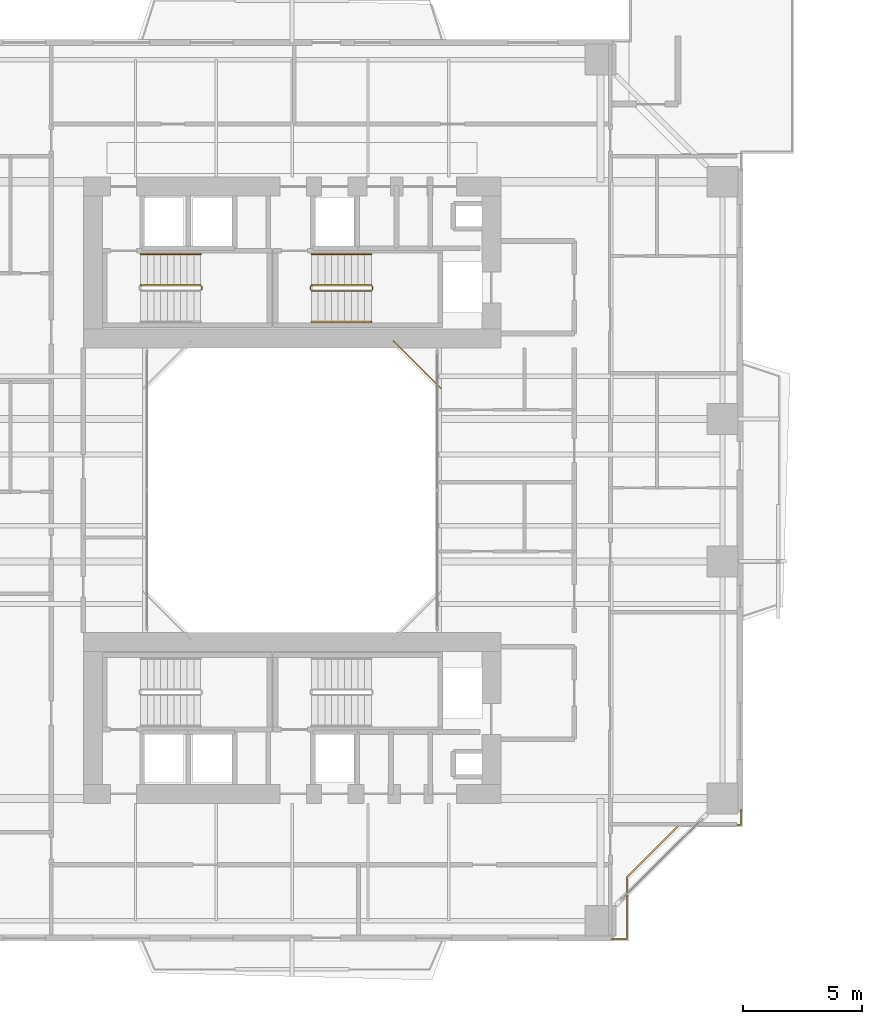
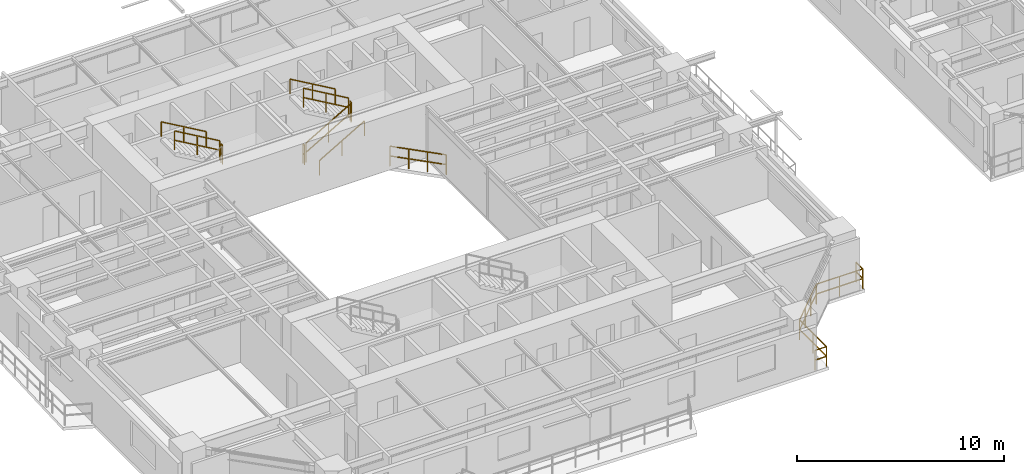
# One storey, part 20 of 23: 11 railings.
"""IFC4 building model written with IfcOpenShell, lengths in metres."""

from ifc_helpers import new_model, si_unit, direction, frame, origin, origin_2d, place, context, subcontext, project, spatial, rectangle, extrude, material, type_object, element, save


model = new_model("IFC4")

# Units and contexts
model_context = context("Model", 3, precision=1e-05, world=origin(), true_north=direction((0.0, 1.0)))
body_context = subcontext(model_context, "Body", "Model", "MODEL_VIEW")
ifc_project = project(units=[si_unit("LENGTHUNIT", "METRE"), si_unit("AREAUNIT", "SQUARE_METRE"), si_unit("VOLUMEUNIT", "CUBIC_METRE"), si_unit("PLANEANGLEUNIT", "RADIAN"), si_unit("MASSUNIT", "GRAM", prefix="KILO"), si_unit("THERMODYNAMICTEMPERATUREUNIT", "KELVIN"), si_unit("POWERUNIT", "WATT")], contexts=[model_context])

# Site, building, storey
site_placement = place(None, origin())
site = spatial("IfcSite", under=ifc_project, at=site_placement, CompositionType="ELEMENT")
building_placement = place(site_placement, origin())
building = spatial("IfcBuilding", under=site, at=building_placement, Name="Qiaomeng Ring Towers", CompositionType="ELEMENT")
storey_placement = place(building_placement, frame((0.0, 0.0, 82.75)))
storey = spatial("IfcBuildingStorey", under=building, at=storey_placement, Name="L23", CompositionType="ELEMENT", Elevation=82.75)

# Railings
ifc_material_1 = material(Name="Low-E pale-green laminated safety glass", Category="glass")
railing_type_1 = type_object("IfcRailingType", Name="ARC-RL-BAL1", PredefinedType="BALUSTRADE", material=ifc_material_1)
railing_1_placement = place(storey_placement, frame((25.280029296875, 27.280029296875, 0.0)))
element("IfcRailing", 1, at=railing_1_placement, inside=storey, type_object=railing_type_1, Name="L23 Balustrade ARC-BAL-WELL1-L23-2", PredefinedType="BALUSTRADE", context=body_context, shape_type="SweptSolid", body=[
    extrude(rectangle(XDim=0.048095703125, YDim=0.048095703125, at=origin_2d()), frame((0.0, 0.0, 1.17578125), z_axis=(-0.707106781187, 0.707106781187, 0.0), x_axis=(-0.707106781187, -0.707106781187, 0.0)), (0.0, 0.0, 1.0), 2.828369140625),
    extrude(rectangle(XDim=0.048095703125, YDim=0.048095703125, at=origin_2d()), frame((0.0, 0.0, 0.60009765625), z_axis=(-0.707106781187, 0.707106781187, 0.0), x_axis=(-0.707106781187, -0.707106781187, 0.0)), (0.0, 0.0, 1.0), 2.828369140625),
    extrude(rectangle(XDim=0.0419921875, YDim=0.0419921875, at=origin_2d()), origin(), (0.0, 0.0, 1.0), 1.15185546875),
    extrude(rectangle(XDim=0.0419921875, YDim=0.0419921875, at=origin_2d()), frame((-0.666748046875, 0.666748046875, 0.0)), (0.0, 0.0, 1.0), 1.15185546875),
    extrude(rectangle(XDim=0.0419921875, YDim=0.0419921875, at=origin_2d()), frame((-1.333251953125, 1.333251953125, 0.0)), (0.0, 0.0, 1.0), 1.15185546875),
    extrude(rectangle(XDim=0.0419921875, YDim=0.0419921875, at=origin_2d()), frame((-2.0, 2.0, 0.0)), (0.0, 0.0, 1.0), 1.15185546875),
])
railing_2_placement = place(storey_placement, frame((32.469970703125, 4.080078125, 0.0)))
element("IfcRailing", 2, at=railing_2_placement, inside=storey, type_object=railing_type_1, Name="L23 Balustrade ARC-BAL-NOTCH1-L23-SE", PredefinedType="BALUSTRADE", context=body_context, shape_type="SweptSolid", body=[
    extrude(rectangle(XDim=0.048095703125, YDim=0.048095703125, at=origin_2d()), frame((0.0, 0.0, 1.17578125), z_axis=(1.0, 0.0, 0.0), x_axis=(0.0, 1.0, 0.0)), (0.0, 0.0, 1.0), 0.650146484375),
    extrude(rectangle(XDim=0.048095703125, YDim=0.048095703125, at=origin_2d()), frame((0.0, 0.0, 0.60009765625), z_axis=(1.0, 0.0, 0.0), x_axis=(0.0, 1.0, 0.0)), (0.0, 0.0, 1.0), 0.650146484375),
    extrude(rectangle(XDim=0.048095703125, YDim=0.048095703125, at=origin_2d()), frame((0.650146484375, 0.0, 1.17578125), z_axis=(0.0, 1.0, 0.0), x_axis=(-1.0, 0.0, 0.0)), (0.0, 0.0, 1.0), 2.599853515625),
    extrude(rectangle(XDim=0.048095703125, YDim=0.048095703125, at=origin_2d()), frame((0.650146484375, 0.0, 0.60009765625), z_axis=(0.0, 1.0, 0.0), x_axis=(-1.0, 0.0, 0.0)), (0.0, 0.0, 1.0), 2.599853515625),
    extrude(rectangle(XDim=0.048095703125, YDim=0.048095703125, at=origin_2d()), frame((0.650146484375, 2.599853515625, 1.17578125), z_axis=(0.707106781187, 0.707106781187, 0.0), x_axis=(-0.707106781187, 0.707106781187, 0.0)), (0.0, 0.0, 1.0), 3.111083984375),
    extrude(rectangle(XDim=0.048095703125, YDim=0.048095703125, at=origin_2d()), frame((0.650146484375, 2.599853515625, 0.60009765625), z_axis=(0.707106781187, 0.707106781187, 0.0), x_axis=(-0.707106781187, 0.707106781187, 0.0)), (0.0, 0.0, 1.0), 3.111083984375),
    extrude(rectangle(XDim=0.048095703125, YDim=0.048095703125, at=origin_2d()), frame((2.85009765625, 4.7998046875, 1.17578125), z_axis=(1.0, 0.0, 0.0), x_axis=(0.0, 1.0, 0.0)), (0.0, 0.0, 1.0), 2.599853515625),
    extrude(rectangle(XDim=0.048095703125, YDim=0.048095703125, at=origin_2d()), frame((2.85009765625, 4.7998046875, 0.60009765625), z_axis=(1.0, 0.0, 0.0), x_axis=(0.0, 1.0, 0.0)), (0.0, 0.0, 1.0), 2.599853515625),
    extrude(rectangle(XDim=0.048095703125, YDim=0.048095703125, at=origin_2d()), frame((5.449951171875, 4.7998046875, 1.17578125), z_axis=(0.0, 1.0, 0.0), x_axis=(-1.0, 0.0, 0.0)), (0.0, 0.0, 1.0), 0.650146484375),
    extrude(rectangle(XDim=0.048095703125, YDim=0.048095703125, at=origin_2d()), frame((5.449951171875, 4.7998046875, 0.60009765625), z_axis=(0.0, 1.0, 0.0), x_axis=(-1.0, 0.0, 0.0)), (0.0, 0.0, 1.0), 0.650146484375),
    extrude(rectangle(XDim=0.0419921875, YDim=0.0419921875, at=origin_2d()), origin(), (0.0, 0.0, 1.0), 1.15185546875),
    extrude(rectangle(XDim=0.0419921875, YDim=0.0419921875, at=origin_2d()), frame((0.650146484375, 0.0, 0.0)), (0.0, 0.0, 1.0), 1.15185546875),
    extrude(rectangle(XDim=0.0419921875, YDim=0.0419921875, at=origin_2d()), frame((0.650146484375, 1.2998046875, 0.0)), (0.0, 0.0, 1.0), 1.15185546875),
    extrude(rectangle(XDim=0.0419921875, YDim=0.0419921875, at=origin_2d()), frame((0.650146484375, 2.599853515625, 0.0)), (0.0, 0.0, 1.0), 1.15185546875),
    extrude(rectangle(XDim=0.0419921875, YDim=0.0419921875, at=origin_2d()), frame((1.383544921875, 3.333251953125, 0.0)), (0.0, 0.0, 1.0), 1.15185546875),
    extrude(rectangle(XDim=0.0419921875, YDim=0.0419921875, at=origin_2d()), frame((2.11669921875, 4.06640625, 0.0)), (0.0, 0.0, 1.0), 1.15185546875),
    extrude(rectangle(XDim=0.0419921875, YDim=0.0419921875, at=origin_2d()), frame((2.85009765625, 4.7998046875, 0.0)), (0.0, 0.0, 1.0), 1.15185546875),
    extrude(rectangle(XDim=0.0419921875, YDim=0.0419921875, at=origin_2d()), frame((4.14990234375, 4.7998046875, 0.0)), (0.0, 0.0, 1.0), 1.15185546875),
    extrude(rectangle(XDim=0.0419921875, YDim=0.0419921875, at=origin_2d()), frame((5.449951171875, 4.7998046875, 0.0)), (0.0, 0.0, 1.0), 1.15185546875),
    extrude(rectangle(XDim=0.0419921875, YDim=0.0419921875, at=origin_2d()), frame((5.449951171875, 5.449951171875, 0.0)), (0.0, 0.0, 1.0), 1.15185546875),
])
ifc_material_2 = material(Name="Galvanised steel", Category="steel")
railing_type_2 = type_object("IfcRailingType", Name="ARC-RL-GUARD", PredefinedType="GUARDRAIL", material=ifc_material_2)
railing_3_placement = place(storey_placement, frame((15.18994140625, 31.449951171875, 1.625)))
element("IfcRailing", 3, at=railing_3_placement, inside=storey, type_object=railing_type_2, Name="L23 ST1 stair guard 2", PredefinedType="GUARDRAIL", context=body_context, shape_type="SweptSolid", body=[
    extrude(rectangle(XDim=0.048095703125, YDim=0.048095703125, at=origin_2d()), frame((0.0, 0.0, 1.1259765625), z_axis=(0.0, 1.0, 0.0), x_axis=(-1.0, 0.0, 0.0)), (0.0, 0.0, 1.0), 0.14013671875),
    extrude(rectangle(XDim=0.048095703125, YDim=0.048095703125, at=origin_2d()), frame((0.0, 0.0, 0.574951171875), z_axis=(0.0, 1.0, 0.0), x_axis=(-1.0, 0.0, 0.0)), (0.0, 0.0, 1.0), 0.14013671875),
    extrude(rectangle(XDim=0.0419921875, YDim=0.0419921875, at=origin_2d()), origin(), (0.0, 0.0, 1.0), 1.101806640625),
    extrude(rectangle(XDim=0.0419921875, YDim=0.0419921875, at=origin_2d()), frame((0.0, 0.14013671875, 0.0)), (0.0, 0.0, 1.0), 1.101806640625),
])
railing_4_placement = place(storey_placement, frame((15.139892578125, 31.639892578125, 1.78759765625)))
element("IfcRailing", 4, at=railing_4_placement, inside=storey, type_object=railing_type_2, Name="L23 ST1 stair guard 3", PredefinedType="GUARDRAIL", context=body_context, shape_type="SweptSolid", body=[
    extrude(rectangle(XDim=0.048095703125, YDim=0.048095703125, at=origin_2d()), frame((0.0, 0.0, 1.1259765625), z_axis=(-0.864892226395, 0.0, 0.501957604506), x_axis=(0.0, -1.0, 0.0)), (0.0, 0.0, 1.0), 2.913330078125),
    extrude(rectangle(XDim=0.048095703125, YDim=0.048095703125, at=origin_2d()), frame((0.0, 0.0, 0.574951171875), z_axis=(-0.864892226395, 0.0, 0.501957604506), x_axis=(0.0, -1.0, 0.0)), (0.0, 0.0, 1.0), 2.913330078125),
    extrude(rectangle(XDim=0.0419921875, YDim=0.0419921875, at=origin_2d()), origin(), (0.0, 0.0, 1.0), 1.101806640625),
    extrude(rectangle(XDim=0.0419921875, YDim=0.0419921875, at=origin_2d()), frame((-1.259765625, 0.0, 0.731201171875)), (0.0, 0.0, 1.0), 1.101806640625),
    extrude(rectangle(XDim=0.0419921875, YDim=0.0419921875, at=origin_2d()), frame((-2.519775390625, 0.0, 1.46240234375)), (0.0, 0.0, 1.0), 1.101806640625),
])
railing_5_placement = place(storey_placement, frame((19.820068359375, 31.39990234375, 0.16259765625)))
element("IfcRailing", 5, at=railing_5_placement, inside=storey, type_object=railing_type_2, Name="L23 ST2 stair guard 1", PredefinedType="GUARDRAIL", context=body_context, shape_type="SweptSolid", body=[
    extrude(rectangle(XDim=0.048095703125, YDim=0.048095703125, at=origin_2d()), frame((0.0, 0.0, 1.1259765625), z_axis=(0.864913338283, 0.0, 0.50192122615), x_axis=(0.0, 1.0, 0.0)), (0.0, 0.0, 1.0), 2.91357421875),
    extrude(rectangle(XDim=0.048095703125, YDim=0.048095703125, at=origin_2d()), frame((0.0, 0.0, 0.574951171875), z_axis=(0.864913338283, 0.0, 0.50192122615), x_axis=(0.0, 1.0, 0.0)), (0.0, 0.0, 1.0), 2.91357421875),
    extrude(rectangle(XDim=0.0419921875, YDim=0.0419921875, at=origin_2d()), origin(), (0.0, 0.0, 1.0), 1.101806640625),
    extrude(rectangle(XDim=0.0419921875, YDim=0.0419921875, at=origin_2d()), frame((1.260009765625, 0.0, 0.731201171875)), (0.0, 0.0, 1.0), 1.101806640625),
    extrude(rectangle(XDim=0.0419921875, YDim=0.0419921875, at=origin_2d()), frame((2.52001953125, 0.0, 1.46240234375)), (0.0, 0.0, 1.0), 1.101806640625),
])
railing_6_placement = place(storey_placement, frame((22.389892578125, 31.449951171875, 1.625)))
element("IfcRailing", 6, at=railing_6_placement, inside=storey, type_object=railing_type_2, Name="L23 ST2 stair guard 2", PredefinedType="GUARDRAIL", context=body_context, shape_type="SweptSolid", body=[
    extrude(rectangle(XDim=0.048095703125, YDim=0.048095703125, at=origin_2d()), frame((0.0, 0.0, 1.1259765625), z_axis=(0.0, 1.0, 0.0), x_axis=(-1.0, 0.0, 0.0)), (0.0, 0.0, 1.0), 0.14013671875),
    extrude(rectangle(XDim=0.048095703125, YDim=0.048095703125, at=origin_2d()), frame((0.0, 0.0, 0.574951171875), z_axis=(0.0, 1.0, 0.0), x_axis=(-1.0, 0.0, 0.0)), (0.0, 0.0, 1.0), 0.14013671875),
    extrude(rectangle(XDim=0.0419921875, YDim=0.0419921875, at=origin_2d()), origin(), (0.0, 0.0, 1.0), 1.101806640625),
    extrude(rectangle(XDim=0.0419921875, YDim=0.0419921875, at=origin_2d()), frame((0.0, 0.14013671875, 0.0)), (0.0, 0.0, 1.0), 1.101806640625),
])
railing_7_placement = place(storey_placement, frame((22.340087890625, 31.639892578125, 1.78759765625)))
element("IfcRailing", 7, at=railing_7_placement, inside=storey, type_object=railing_type_2, Name="L23 ST2 stair guard 3", PredefinedType="GUARDRAIL", context=body_context, shape_type="SweptSolid", body=[
    extrude(rectangle(XDim=0.048095703125, YDim=0.048095703125, at=origin_2d()), frame((0.0, 0.0, 1.1259765625), z_axis=(-0.864913338283, 0.0, 0.50192122615), x_axis=(0.0, -1.0, 0.0)), (0.0, 0.0, 1.0), 2.91357421875),
    extrude(rectangle(XDim=0.048095703125, YDim=0.048095703125, at=origin_2d()), frame((0.0, 0.0, 0.574951171875), z_axis=(-0.864913338283, 0.0, 0.50192122615), x_axis=(0.0, -1.0, 0.0)), (0.0, 0.0, 1.0), 2.91357421875),
    extrude(rectangle(XDim=0.0419921875, YDim=0.0419921875, at=origin_2d()), origin(), (0.0, 0.0, 1.0), 1.101806640625),
    extrude(rectangle(XDim=0.0419921875, YDim=0.0419921875, at=origin_2d()), frame((-1.260009765625, 0.0, 0.731201171875)), (0.0, 0.0, 1.0), 1.101806640625),
    extrude(rectangle(XDim=0.0419921875, YDim=0.0419921875, at=origin_2d()), frame((-2.52001953125, 0.0, 1.46240234375)), (0.0, 0.0, 1.0), 1.101806640625),
])
railing_8_placement = place(storey_placement, frame((19.77001953125, 31.449951171875, 0.0)))
element("IfcRailing", 8, at=railing_8_placement, inside=storey, type_object=railing_type_2, Name="L23 ST2 stair guard 4", PredefinedType="GUARDRAIL", context=body_context, shape_type="SweptSolid", body=[
    extrude(rectangle(XDim=0.048095703125, YDim=0.048095703125, at=origin_2d()), frame((0.0, 0.0, 1.1259765625), z_axis=(0.0, 1.0, 0.0), x_axis=(-1.0, 0.0, 0.0)), (0.0, 0.0, 1.0), 0.14013671875),
    extrude(rectangle(XDim=0.048095703125, YDim=0.048095703125, at=origin_2d()), frame((0.0, 0.0, 0.574951171875), z_axis=(0.0, 1.0, 0.0), x_axis=(-1.0, 0.0, 0.0)), (0.0, 0.0, 1.0), 0.14013671875),
    extrude(rectangle(XDim=0.0419921875, YDim=0.0419921875, at=origin_2d()), origin(), (0.0, 0.0, 1.0), 1.101806640625),
    extrude(rectangle(XDim=0.0419921875, YDim=0.0419921875, at=origin_2d()), frame((0.0, 0.14013671875, 0.0)), (0.0, 0.0, 1.0), 1.101806640625),
])
ifc_material_3 = material(Name="Stainless steel 316", Category="steel")
railing_type_3 = type_object("IfcRailingType", Name="ARC-RL-HAND", PredefinedType="HANDRAIL", material=ifc_material_3)
railing_9_placement = place(storey_placement, frame((15.139892578125, 32.93994140625, 1.78759765625)))
element("IfcRailing", 9, at=railing_9_placement, inside=storey, type_object=railing_type_3, Name="L23 ST1 stair handrail 2", PredefinedType="HANDRAIL", context=body_context, shape_type="SweptSolid", body=[
    extrude(rectangle(XDim=0.048095703125, YDim=0.048095703125, at=origin_2d()), frame((0.0, 0.0, 0.8759765625), z_axis=(-0.864892226395, 0.0, 0.501957604506), x_axis=(0.0, -1.0, 0.0)), (0.0, 0.0, 1.0), 2.913330078125),
    extrude(rectangle(XDim=0.0419921875, YDim=0.0419921875, at=origin_2d()), origin(), (0.0, 0.0, 1.0), 0.851806640625),
    extrude(rectangle(XDim=0.0419921875, YDim=0.0419921875, at=origin_2d()), frame((-1.259765625, 0.0, 0.731201171875)), (0.0, 0.0, 1.0), 0.851806640625),
    extrude(rectangle(XDim=0.0419921875, YDim=0.0419921875, at=origin_2d()), frame((-2.519775390625, 0.0, 1.46240234375)), (0.0, 0.0, 1.0), 0.851806640625),
])
railing_10_placement = place(storey_placement, frame((19.820068359375, 30.10009765625, 0.16259765625)))
element("IfcRailing", 10, at=railing_10_placement, inside=storey, type_object=railing_type_3, Name="L23 ST2 stair handrail 1", PredefinedType="HANDRAIL", context=body_context, shape_type="SweptSolid", body=[
    extrude(rectangle(XDim=0.048095703125, YDim=0.048095703125, at=origin_2d()), frame((0.0, 0.0, 0.8759765625), z_axis=(0.864913338283, 0.0, 0.50192122615), x_axis=(0.0, 1.0, 0.0)), (0.0, 0.0, 1.0), 2.91357421875),
    extrude(rectangle(XDim=0.0419921875, YDim=0.0419921875, at=origin_2d()), origin(), (0.0, 0.0, 1.0), 0.851806640625),
    extrude(rectangle(XDim=0.0419921875, YDim=0.0419921875, at=origin_2d()), frame((1.260009765625, 0.0, 0.731201171875)), (0.0, 0.0, 1.0), 0.851806640625),
    extrude(rectangle(XDim=0.0419921875, YDim=0.0419921875, at=origin_2d()), frame((2.52001953125, 0.0, 1.46240234375)), (0.0, 0.0, 1.0), 0.851806640625),
])
railing_11_placement = place(storey_placement, frame((22.340087890625, 32.93994140625, 1.78759765625)))
element("IfcRailing", 11, at=railing_11_placement, inside=storey, type_object=railing_type_3, Name="L23 ST2 stair handrail 2", PredefinedType="HANDRAIL", context=body_context, shape_type="SweptSolid", body=[
    extrude(rectangle(XDim=0.048095703125, YDim=0.048095703125, at=origin_2d()), frame((0.0, 0.0, 0.8759765625), z_axis=(-0.864913338283, 0.0, 0.50192122615), x_axis=(0.0, -1.0, 0.0)), (0.0, 0.0, 1.0), 2.91357421875),
    extrude(rectangle(XDim=0.0419921875, YDim=0.0419921875, at=origin_2d()), origin(), (0.0, 0.0, 1.0), 0.851806640625),
    extrude(rectangle(XDim=0.0419921875, YDim=0.0419921875, at=origin_2d()), frame((-1.260009765625, 0.0, 0.731201171875)), (0.0, 0.0, 1.0), 0.851806640625),
    extrude(rectangle(XDim=0.0419921875, YDim=0.0419921875, at=origin_2d()), frame((-2.52001953125, 0.0, 1.46240234375)), (0.0, 0.0, 1.0), 0.851806640625),
])

save(model, "model.ifc")
